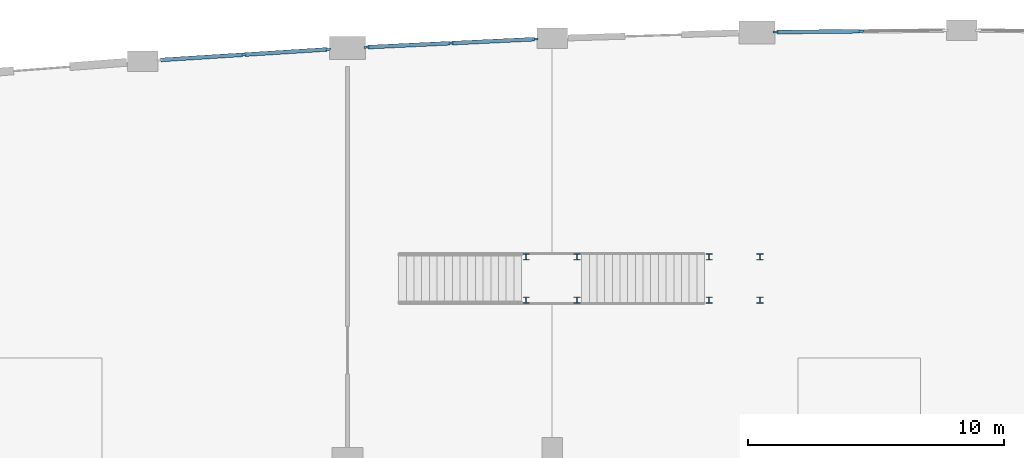
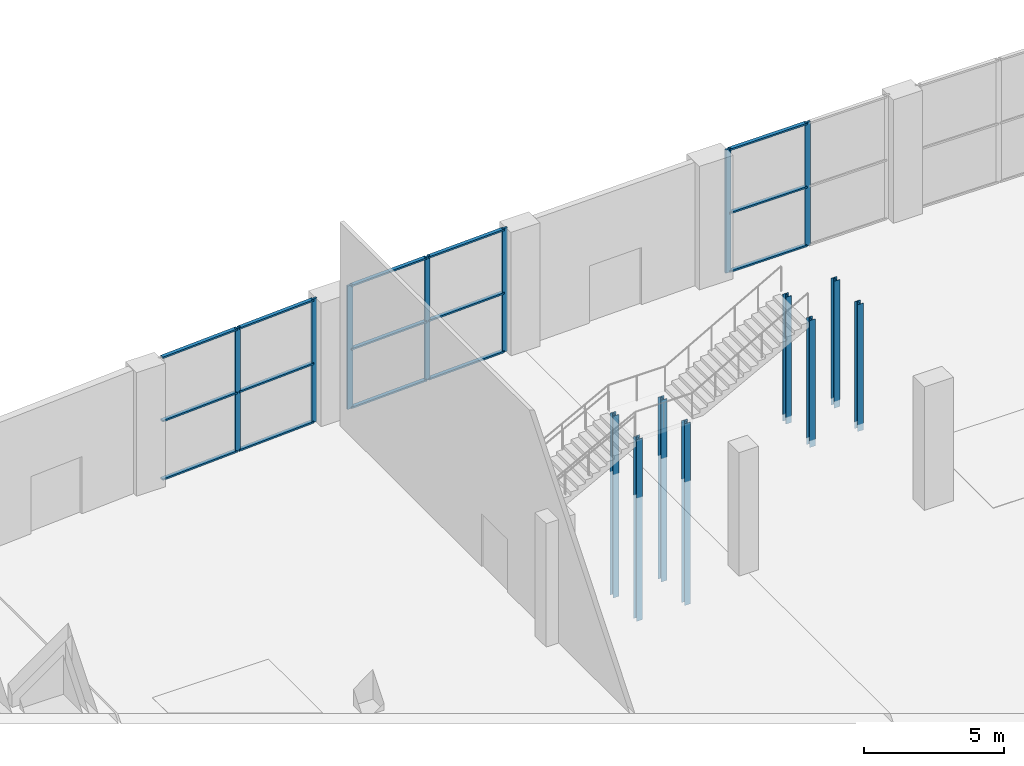
# One storey, part 33 of 86: 30 members, 3 elements without a shape of their own.
"""IFC4 building model written with IfcOpenShell, lengths in metres."""

from ifc_helpers import new_model, si_unit, direction, frame, origin, origin_2d, place, context, subcontext, project, spatial, rectangle, i_section, extrude, material, material_profile, profile_set, type_object, element, aggregate, save


model = new_model("IFC4")

# Units and contexts
model_context = context("Model", 3, precision=1e-05, world=origin(), true_north=direction((0.0, 1.0)))
body_context = subcontext(model_context, "Body", "Model", "MODEL_VIEW")
ifc_project = project(units=[si_unit("LENGTHUNIT", "METRE"), si_unit("AREAUNIT", "SQUARE_METRE"), si_unit("VOLUMEUNIT", "CUBIC_METRE"), si_unit("PLANEANGLEUNIT", "RADIAN"), si_unit("MASSUNIT", "GRAM", prefix="KILO")], contexts=[model_context])

# Site, building, storey
site_placement = place(None, origin())
site = spatial("IfcSite", under=ifc_project, at=site_placement, CompositionType="ELEMENT")
building_placement = place(site_placement, origin())
building = spatial("IfcBuilding", under=site, at=building_placement, Name="Kenh Van Central Station", CompositionType="ELEMENT")
storey_placement = place(building_placement, origin())
storey = spatial("IfcBuildingStorey", under=building, at=storey_placement, Name="L00", CompositionType="ELEMENT", Elevation=0.0)

# Curtain wall, members
ifc_material_1 = material(Name="Champagne anodised aluminium", Category="aluminium")
curtain_wall_type = type_object("IfcCurtainWallType", Name="CW-HALL-B", PredefinedType="NOTDEFINED", material=ifc_material_1)
curtain_wall_1_placement = place(storey_placement, origin())
curtain_wall_1 = element("IfcCurtainWall", 1, at=curtain_wall_1_placement, inside=storey, type_object=curtain_wall_type, Name="L00 curtain wall 005", PredefinedType="NOTDEFINED")
ifc_material_profile_1 = material_profile(ifc_material_1, rectangle(XDim=0.080078125, YDim=0.219970703125, at=origin_2d()), Name="AL 80x220")
ifc_profile_set_1 = profile_set([ifc_material_profile_1], Name="Champagne anodised aluminium")
member_type_1 = type_object("IfcMemberType", Name="CWM-80x220", PredefinedType="MULLION", material=ifc_profile_set_1)
member_1_placement = place(storey_placement, frame((63.234375, 114.453369140625, 0.0), z_axis=(0.0, 0.0, 1.0), x_axis=(0.063211477724, -0.998000154852, 0.0)))
member_1 = element("IfcMember", 2, at=member_1_placement, type_object=member_type_1, Name="CW-02 mullion 1", PredefinedType="MULLION", context=body_context, shape_type="SweptSolid", body=[
    extrude(rectangle(XDim=0.080078125, YDim=0.219970703125, at=origin_2d()), origin(), (0.0, 0.0, 1.0), 5.39990234375),
])
member_2_placement = place(storey_placement, frame((59.948486328125, 114.245361328125, 0.0), z_axis=(0.0, 0.0, 1.0), x_axis=(0.063211477724, -0.998000154852, 0.0)))
member_2 = element("IfcMember", 3, at=member_2_placement, type_object=member_type_1, Name="CW-02 mullion 2", PredefinedType="MULLION", context=body_context, shape_type="SweptSolid", body=[
    extrude(rectangle(XDim=0.080078125, YDim=0.219970703125, at=origin_2d()), origin(), (0.0, 0.0, 1.0), 5.39990234375),
])

curtain_wall_2_placement = place(storey_placement, origin())
curtain_wall_2 = element("IfcCurtainWall", 4, at=curtain_wall_2_placement, inside=storey, type_object=curtain_wall_type, Name="L00 curtain wall 007", PredefinedType="NOTDEFINED")
member_3_placement = place(storey_placement, frame((71.34228515625, 114.851806640625, 0.0), z_axis=(0.0, 0.0, 1.0), x_axis=(0.047600764745, -0.99886644112, 0.0)))
member_3 = element("IfcMember", 5, at=member_3_placement, type_object=member_type_1, Name="CW-02 mullion 1", PredefinedType="MULLION", context=body_context, shape_type="SweptSolid", body=[
    extrude(rectangle(XDim=0.080078125, YDim=0.219970703125, at=origin_2d()), origin(), (0.0, 0.0, 1.0), 5.39990234375),
])
member_4_placement = place(storey_placement, frame((68.051025390625, 114.695068359375, 0.0), z_axis=(0.0, 0.0, 1.0), x_axis=(0.047600764745, -0.99886644112, 0.0)))
member_4 = element("IfcMember", 6, at=member_4_placement, type_object=member_type_1, Name="CW-02 mullion 2", PredefinedType="MULLION", context=body_context, shape_type="SweptSolid", body=[
    extrude(rectangle(XDim=0.080078125, YDim=0.219970703125, at=origin_2d()), origin(), (0.0, 0.0, 1.0), 5.39990234375),
])
member_5_placement = place(storey_placement, frame((64.759765625, 114.5380859375, 0.0), z_axis=(0.0, 0.0, 1.0), x_axis=(0.047600764745, -0.99886644112, 0.0)))
member_5 = element("IfcMember", 7, at=member_5_placement, type_object=member_type_1, Name="CW-02 mullion 3", PredefinedType="MULLION", context=body_context, shape_type="SweptSolid", body=[
    extrude(rectangle(XDim=0.080078125, YDim=0.219970703125, at=origin_2d()), origin(), (0.0, 0.0, 1.0), 5.39990234375),
])

curtain_wall_3_placement = place(storey_placement, origin())
curtain_wall_3 = element("IfcCurtainWall", 8, at=curtain_wall_3_placement, inside=storey, type_object=curtain_wall_type, Name="L00 curtain wall 009", PredefinedType="NOTDEFINED")
member_6_placement = place(storey_placement, frame((84.05029296875, 115.160400390625, 0.0), z_axis=(0.0, 0.0, 1.0), x_axis=(0.010011901592, -0.999949879657, 0.0)))
member_6 = element("IfcMember", 9, at=member_6_placement, type_object=member_type_1, Name="CW-02 mullion 2", PredefinedType="MULLION", context=body_context, shape_type="SweptSolid", body=[
    extrude(rectangle(XDim=0.080078125, YDim=0.219970703125, at=origin_2d()), origin(), (0.0, 0.0, 1.0), 5.39990234375),
])
member_7_placement = place(storey_placement, frame((80.744384765625, 115.127197265625, 0.0), z_axis=(0.0, 0.0, 1.0), x_axis=(0.010011901592, -0.999949879657, 0.0)))
member_7 = element("IfcMember", 10, at=member_7_placement, type_object=member_type_1, Name="CW-02 mullion 3", PredefinedType="MULLION", context=body_context, shape_type="SweptSolid", body=[
    extrude(rectangle(XDim=0.080078125, YDim=0.219970703125, at=origin_2d()), origin(), (0.0, 0.0, 1.0), 5.39990234375),
])

# Member
ifc_material_profile_2 = material_profile(ifc_material_1, rectangle(XDim=0.14990234375, YDim=0.070068359375, at=origin_2d()), Name="AL 150x70")
ifc_profile_set_2 = profile_set([ifc_material_profile_2], Name="Champagne anodised aluminium")
member_type_2 = type_object("IfcMemberType", Name="CWT-150x70", PredefinedType="USERDEFINED", material=ifc_profile_set_2)
member_8_placement = place(storey_placement, frame((63.194580078125, 114.450927734375, 0.034912109375), z_axis=(-0.997998987314, -0.063229908426, 0.0), x_axis=(0.063229908426, -0.997998987314, 0.0)))
member_8 = element("IfcMember", 11, at=member_8_placement, type_object=member_type_2, Name="CW-02 transom 1.1", ObjectType="TRANSOM", PredefinedType="USERDEFINED", context=body_context, shape_type="SweptSolid", body=[
    extrude(rectangle(XDim=0.14990234375, YDim=0.070068359375, at=origin_2d()), origin(), (0.0, 0.0, 1.0), 3.21240234375),
])

member_9_placement = place(storey_placement, frame((63.194580078125, 114.450927734375, 2.592041015625), z_axis=(-0.997998987314, -0.063229908426, 0.0), x_axis=(0.063229908426, -0.997998987314, 0.0)))
member_9 = element("IfcMember", 12, at=member_9_placement, type_object=member_type_2, Name="CW-02 transom 1.2", ObjectType="TRANSOM", PredefinedType="USERDEFINED", context=body_context, shape_type="SweptSolid", body=[
    extrude(rectangle(XDim=0.14990234375, YDim=0.070068359375, at=origin_2d()), origin(), (0.0, 0.0, 1.0), 3.21240234375),
])

member_10_placement = place(storey_placement, frame((63.194580078125, 114.450927734375, 5.364990234375), z_axis=(-0.997998987314, -0.063229908426, 0.0), x_axis=(0.063229908426, -0.997998987314, 0.0)))
member_10 = element("IfcMember", 13, at=member_10_placement, type_object=member_type_2, Name="CW-02 transom 1.3", ObjectType="TRANSOM", PredefinedType="USERDEFINED", context=body_context, shape_type="SweptSolid", body=[
    extrude(rectangle(XDim=0.14990234375, YDim=0.070068359375, at=origin_2d()), origin(), (0.0, 0.0, 1.0), 3.21240234375),
])

member_11_placement = place(storey_placement, frame((59.90869140625, 114.24267578125, 0.034912109375), z_axis=(-0.997998987314, -0.063229908426, 0.0), x_axis=(0.063229908426, -0.997998987314, 0.0)))
member_11 = element("IfcMember", 14, at=member_11_placement, type_object=member_type_2, Name="CW-02 transom 2.1", ObjectType="TRANSOM", PredefinedType="USERDEFINED", context=body_context, shape_type="SweptSolid", body=[
    extrude(rectangle(XDim=0.14990234375, YDim=0.070068359375, at=origin_2d()), origin(), (0.0, 0.0, 1.0), 3.21240234375),
])

member_12_placement = place(storey_placement, frame((59.90869140625, 114.24267578125, 2.592041015625), z_axis=(-0.997998987314, -0.063229908426, 0.0), x_axis=(0.063229908426, -0.997998987314, 0.0)))
member_12 = element("IfcMember", 15, at=member_12_placement, type_object=member_type_2, Name="CW-02 transom 2.2", ObjectType="TRANSOM", PredefinedType="USERDEFINED", context=body_context, shape_type="SweptSolid", body=[
    extrude(rectangle(XDim=0.14990234375, YDim=0.070068359375, at=origin_2d()), origin(), (0.0, 0.0, 1.0), 3.21240234375),
])

member_13_placement = place(storey_placement, frame((59.90869140625, 114.24267578125, 5.364990234375), z_axis=(-0.997998987314, -0.063229908426, 0.0), x_axis=(0.063229908426, -0.997998987314, 0.0)))
member_13 = element("IfcMember", 16, at=member_13_placement, type_object=member_type_2, Name="CW-02 transom 2.3", ObjectType="TRANSOM", PredefinedType="USERDEFINED", context=body_context, shape_type="SweptSolid", body=[
    extrude(rectangle(XDim=0.14990234375, YDim=0.070068359375, at=origin_2d()), origin(), (0.0, 0.0, 1.0), 3.21240234375),
])

aggregate(curtain_wall_1, [member_1, member_2, member_8, member_9, member_10, member_11, member_12, member_13])

member_14_placement = place(storey_placement, frame((71.302490234375, 114.849853515625, 0.034912109375), z_axis=(-0.998865903203, -0.047612051187, 0.0), x_axis=(0.047612051187, -0.998865903203, 0.0)))
member_14 = element("IfcMember", 17, at=member_14_placement, type_object=member_type_2, Name="CW-02 transom 1.1", ObjectType="TRANSOM", PredefinedType="USERDEFINED", context=body_context, shape_type="SweptSolid", body=[
    extrude(rectangle(XDim=0.14990234375, YDim=0.070068359375, at=origin_2d()), origin(), (0.0, 0.0, 1.0), 3.215087890625),
])

member_15_placement = place(storey_placement, frame((71.302490234375, 114.849853515625, 2.592041015625), z_axis=(-0.998865903203, -0.047612051187, 0.0), x_axis=(0.047612051187, -0.998865903203, 0.0)))
member_15 = element("IfcMember", 18, at=member_15_placement, type_object=member_type_2, Name="CW-02 transom 1.2", ObjectType="TRANSOM", PredefinedType="USERDEFINED", context=body_context, shape_type="SweptSolid", body=[
    extrude(rectangle(XDim=0.14990234375, YDim=0.070068359375, at=origin_2d()), origin(), (0.0, 0.0, 1.0), 3.215087890625),
])

member_16_placement = place(storey_placement, frame((71.302490234375, 114.849853515625, 5.364990234375), z_axis=(-0.998865903203, -0.047612051187, 0.0), x_axis=(0.047612051187, -0.998865903203, 0.0)))
member_16 = element("IfcMember", 19, at=member_16_placement, type_object=member_type_2, Name="CW-02 transom 1.3", ObjectType="TRANSOM", PredefinedType="USERDEFINED", context=body_context, shape_type="SweptSolid", body=[
    extrude(rectangle(XDim=0.14990234375, YDim=0.070068359375, at=origin_2d()), origin(), (0.0, 0.0, 1.0), 3.215087890625),
])

member_17_placement = place(storey_placement, frame((68.010986328125, 114.693115234375, 0.034912109375), z_axis=(-0.998865731043, -0.047615662842, 0.0), x_axis=(0.047615662842, -0.998865731043, 0.0)))
member_17 = element("IfcMember", 20, at=member_17_placement, type_object=member_type_2, Name="CW-02 transom 2.1", ObjectType="TRANSOM", PredefinedType="USERDEFINED", context=body_context, shape_type="SweptSolid", body=[
    extrude(rectangle(XDim=0.14990234375, YDim=0.070068359375, at=origin_2d()), origin(), (0.0, 0.0, 1.0), 3.21484375),
])

member_18_placement = place(storey_placement, frame((68.010986328125, 114.693115234375, 2.592041015625), z_axis=(-0.998865731043, -0.047615662842, 0.0), x_axis=(0.047615662842, -0.998865731043, 0.0)))
member_18 = element("IfcMember", 21, at=member_18_placement, type_object=member_type_2, Name="CW-02 transom 2.2", ObjectType="TRANSOM", PredefinedType="USERDEFINED", context=body_context, shape_type="SweptSolid", body=[
    extrude(rectangle(XDim=0.14990234375, YDim=0.070068359375, at=origin_2d()), origin(), (0.0, 0.0, 1.0), 3.21484375),
])

member_19_placement = place(storey_placement, frame((68.010986328125, 114.693115234375, 5.364990234375), z_axis=(-0.998865731043, -0.047615662842, 0.0), x_axis=(0.047615662842, -0.998865731043, 0.0)))
member_19 = element("IfcMember", 22, at=member_19_placement, type_object=member_type_2, Name="CW-02 transom 2.3", ObjectType="TRANSOM", PredefinedType="USERDEFINED", context=body_context, shape_type="SweptSolid", body=[
    extrude(rectangle(XDim=0.14990234375, YDim=0.070068359375, at=origin_2d()), origin(), (0.0, 0.0, 1.0), 3.21484375),
])

aggregate(curtain_wall_2, [member_3, member_4, member_5, member_14, member_15, member_16, member_17, member_18, member_19])

member_20_placement = place(storey_placement, frame((84.01025390625, 115.159912109375, 0.034912109375), z_axis=(-0.999950102075, -0.009989662717, 0.0), x_axis=(0.009989662717, -0.999950102075, 0.0)))
member_20 = element("IfcMember", 23, at=member_20_placement, type_object=member_type_2, Name="CW-02 transom 2.1", ObjectType="TRANSOM", PredefinedType="USERDEFINED", context=body_context, shape_type="SweptSolid", body=[
    extrude(rectangle(XDim=0.14990234375, YDim=0.070068359375, at=origin_2d()), origin(), (0.0, 0.0, 1.0), 3.22607421875),
])

member_21_placement = place(storey_placement, frame((84.01025390625, 115.159912109375, 2.592041015625), z_axis=(-0.999950102075, -0.009989662717, 0.0), x_axis=(0.009989662717, -0.999950102075, 0.0)))
member_21 = element("IfcMember", 24, at=member_21_placement, type_object=member_type_2, Name="CW-02 transom 2.2", ObjectType="TRANSOM", PredefinedType="USERDEFINED", context=body_context, shape_type="SweptSolid", body=[
    extrude(rectangle(XDim=0.14990234375, YDim=0.070068359375, at=origin_2d()), origin(), (0.0, 0.0, 1.0), 3.22607421875),
])

member_22_placement = place(storey_placement, frame((84.01025390625, 115.159912109375, 5.364990234375), z_axis=(-0.999950102075, -0.009989662717, 0.0), x_axis=(0.009989662717, -0.999950102075, 0.0)))
member_22 = element("IfcMember", 25, at=member_22_placement, type_object=member_type_2, Name="CW-02 transom 2.3", ObjectType="TRANSOM", PredefinedType="USERDEFINED", context=body_context, shape_type="SweptSolid", body=[
    extrude(rectangle(XDim=0.14990234375, YDim=0.070068359375, at=origin_2d()), origin(), (0.0, 0.0, 1.0), 3.22607421875),
])

aggregate(curtain_wall_3, [member_6, member_7, member_20, member_21, member_22])

# Members
ifc_material_2 = material(Name="Steel S355", Category="steel")
ifc_material_profile_3 = material_profile(ifc_material_2, i_section(OverallWidth=0.239990234375, OverallDepth=0.22998046875, WebThickness=0.007568359375, FlangeThickness=0.011962890625, FilletRadius=0.02099609375, at=origin_2d()), Name="HEA 240")
ifc_profile_set_3 = profile_set([ifc_material_profile_3], Name="Steel S355")
member_type_3 = type_object("IfcMemberType", Name="MEM-ROOF-POST240", PredefinedType="POST", material=ifc_profile_set_3)
for number, where, z_axis, x_axis, name in (
    (26, (78.1298828125, 104.655029296875, -0.300048828125), (0.0, 0.0, 1.0), (1.0, 0.0, 0.0), "L00 transfer landing post ST-PUB6 11"),
    (27, (78.1298828125, 106.344970703125, -0.300048828125), (0.0, 0.0, 1.0), (1.0, 0.0, 0.0), "L00 transfer landing post ST-PUB6 12"),
    (28, (80.1201171875, 104.655029296875, -0.300048828125), (0.0, 0.0, 1.0), (1.0, 0.0, 0.0), "L00 transfer landing post ST-PUB6 21"),
    (29, (80.1201171875, 106.344970703125, -0.300048828125), (0.0, 0.0, 1.0), (1.0, 0.0, 0.0), "L00 transfer landing post ST-PUB6 22"),
):
    element("IfcMember", number, at=place(storey_placement, frame(where, z_axis=z_axis, x_axis=x_axis)), inside=storey, type_object=member_type_3, Name=name, PredefinedType="POST", context=body_context, shape_type="SweptSolid", body=[
        extrude(i_section(OverallWidth=0.239990234375, OverallDepth=0.22998046875, WebThickness=0.007568359375, FlangeThickness=0.011962890625, FilletRadius=0.02099609375, at=origin_2d()), origin(), (0.0, 0.0, 1.0), 5.550048828125),
    ])
for number, where, z_axis, x_axis, name in (
    (30, (70.97998046875, 104.655029296875, -5.39990234375), (0.0, 0.0, 1.0), (1.0, 0.0, 0.0), "Island Platform 2 Central Transfer Stair mid-landing support post 11"),
    (31, (70.97998046875, 106.344970703125, -5.39990234375), (0.0, 0.0, 1.0), (1.0, 0.0, 0.0), "Island Platform 2 Central Transfer Stair mid-landing support post 12"),
    (32, (72.969970703125, 104.655029296875, -5.39990234375), (0.0, 0.0, 1.0), (1.0, 0.0, 0.0), "Island Platform 2 Central Transfer Stair mid-landing support post 21"),
    (33, (72.969970703125, 106.344970703125, -5.39990234375), (0.0, 0.0, 1.0), (1.0, 0.0, 0.0), "Island Platform 2 Central Transfer Stair mid-landing support post 22"),
):
    element("IfcMember", number, at=place(storey_placement, frame(where, z_axis=z_axis, x_axis=x_axis)), inside=storey, type_object=member_type_3, Name=name, PredefinedType="POST", context=body_context, shape_type="SweptSolid", body=[
        extrude(i_section(OverallWidth=0.239990234375, OverallDepth=0.22998046875, WebThickness=0.007568359375, FlangeThickness=0.011962890625, FilletRadius=0.02099609375, at=origin_2d()), origin(), (0.0, 0.0, 1.0), 7.949951171875),
    ])

save(model, "model.ifc")
